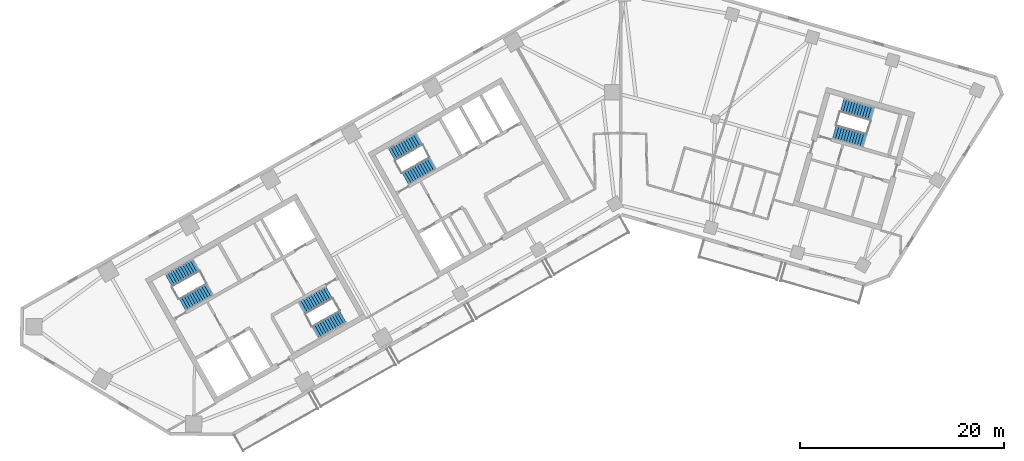
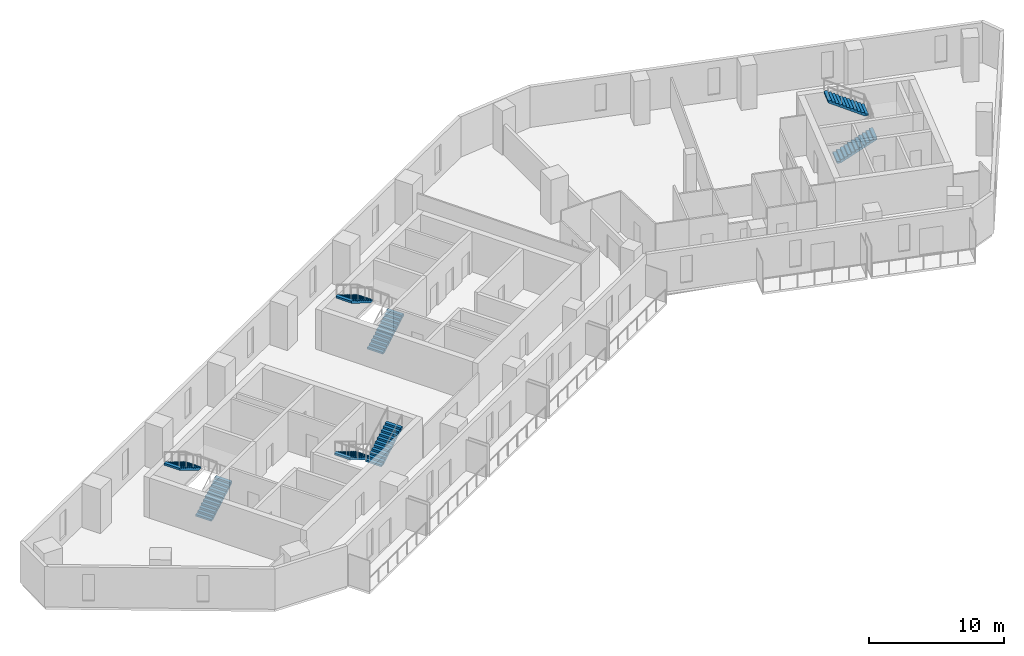
# One storey, part 7 of 9: 8 stair flights, 4 elements without a shape of their own.
"""IFC4 building model written with IfcOpenShell, lengths in metres."""

from ifc_helpers import new_model, si_unit, direction, frame, origin, place, context, subcontext, project, spatial, polyline, outline, extrude, material, type_object, element, aggregate, save


model = new_model("IFC4")

# Units and contexts
model_context = context("Model", 3, precision=1e-05, world=origin(), true_north=direction((0.0, 1.0)))
body_context = subcontext(model_context, "Body", "Model", "MODEL_VIEW")
ifc_project = project(units=[si_unit("LENGTHUNIT", "METRE"), si_unit("AREAUNIT", "SQUARE_METRE"), si_unit("VOLUMEUNIT", "CUBIC_METRE"), si_unit("PLANEANGLEUNIT", "RADIAN"), si_unit("MASSUNIT", "GRAM", prefix="KILO")], contexts=[model_context])

# Site, building, storey
site_placement = place(None, origin())
site = spatial("IfcSite", under=ifc_project, at=site_placement, CompositionType="ELEMENT")
building_placement = place(site_placement, origin())
building = spatial("IfcBuilding", under=site, at=building_placement, Name="Binnacle Exchange Tower", CompositionType="ELEMENT")
storey_placement = place(building_placement, frame((0.0, 0.0, 198.89990234375)))
storey = spatial("IfcBuildingStorey", under=building, at=storey_placement, Name="L43", CompositionType="ELEMENT", Elevation=198.89990234375)

# Stair, stair flights
ifc_material = material(Name="Concrete C35/45", Category="concrete")
stair_type = type_object("IfcStairType", Name="STAIR 24 RISERS 167", PredefinedType="HALF_TURN_STAIR", material=ifc_material)
stair_1_placement = place(storey_placement, origin())
stair_1 = element("IfcStair", 1, at=stair_1_placement, inside=storey, type_object=stair_type, Name="L43 Escape stair A1", PredefinedType="HALF_TURN_STAIR")
stair_flight_type = type_object("IfcStairFlightType", Name="STAIR FLIGHT 167X280", PredefinedType="STRAIGHT", material=ifc_material)
stair_flight_1_placement = place(storey_placement, frame((-42.9541015625, 39.17333984375, 0.0), z_axis=(0.0, 0.0, 1.0), x_axis=(0.870355584213, 0.492423757581, 0.0)))
stair_flight_1 = element("IfcStairFlight", 2, at=stair_flight_1_placement, type_object=stair_flight_type, Name="STA1 flight 1", NumberOfRisers=12, NumberOfTreads=11, PredefinedType="STRAIGHT", RiserHeight=0.166666667, TreadLength=0.28, context=body_context, shape_type="SweptSolid", body=[
    extrude(outline(polyline([(0.0, 0.0), (0.0, 0.166748046875), (0.280029296875, 0.166748046875), (0.280029296875, 0.333251953125), (0.56005859375, 0.333251953125), (0.56005859375, 0.5), (0.840087890625, 0.5), (0.840087890625, 0.666748046875), (1.1201171875, 0.666748046875), (1.1201171875, 0.833251953125), (1.39990234375, 0.833251953125), (1.39990234375, 1.0), (1.679931640625, 1.0), (1.679931640625, 1.166748046875), (1.9599609375, 1.166748046875), (1.9599609375, 1.333251953125), (2.239990234375, 1.333251953125), (2.239990234375, 1.5), (2.52001953125, 1.5), (2.52001953125, 1.666748046875), (2.800048828125, 1.666748046875), (2.800048828125, 1.833251953125), (3.080078125, 1.833251953125), (3.080078125, 2.0), (3.080078125, 1.658935546875), (0.29296875, 0.0), (0.0, 0.0)])), frame((0.0, 0.675048828125, 0.0), z_axis=(0.0, -1.0, 0.0), x_axis=(1.0, 0.0, 0.0)), (0.0, 0.0, 1.0), 1.35009765625),
])
stair_flight_2_placement = place(storey_placement, frame((-41.602783203125, 43.0400390625, 2.0), z_axis=(0.0, 0.0, 1.0), x_axis=(-0.870355584213, -0.492423757581, 0.0)))
stair_flight_2 = element("IfcStairFlight", 3, at=stair_flight_2_placement, type_object=stair_flight_type, Name="STA1 flight 2", NumberOfRisers=12, NumberOfTreads=11, PredefinedType="STRAIGHT", RiserHeight=0.166666667, TreadLength=0.28, context=body_context, shape_type="SweptSolid", body=[
    extrude(outline(polyline([(0.0, 0.0), (0.0, 0.166748046875), (0.280029296875, 0.166748046875), (0.280029296875, 0.333251953125), (0.56005859375, 0.333251953125), (0.56005859375, 0.5), (0.840087890625, 0.5), (0.840087890625, 0.666748046875), (1.1201171875, 0.666748046875), (1.1201171875, 0.833251953125), (1.39990234375, 0.833251953125), (1.39990234375, 1.0), (1.679931640625, 1.0), (1.679931640625, 1.166748046875), (1.9599609375, 1.166748046875), (1.9599609375, 1.333251953125), (2.239990234375, 1.333251953125), (2.239990234375, 1.5), (2.52001953125, 1.5), (2.52001953125, 1.666748046875), (2.800048828125, 1.666748046875), (2.800048828125, 1.833251953125), (3.080078125, 1.833251953125), (3.080078125, 2.0), (3.080078125, 1.658935546875), (0.29296875, 0.0), (0.0, 0.0)])), frame((0.0, 0.675048828125, 0.0), z_axis=(0.0, -1.0, 0.0), x_axis=(1.0, 0.0, 0.0)), (0.0, 0.0, 1.0), 1.35009765625),
])
aggregate(stair_1, [stair_flight_1, stair_flight_2])

stair_2_placement = place(storey_placement, origin())
stair_2 = element("IfcStair", 4, at=stair_2_placement, inside=storey, type_object=stair_type, Name="L43 Escape stair A2", PredefinedType="HALF_TURN_STAIR")
stair_flight_3_placement = place(storey_placement, frame((-28.5732421875, 40.3583984375, 0.0), z_axis=(0.0, 0.0, 1.0), x_axis=(-0.870355584213, -0.492423757581, 0.0)))
stair_flight_3 = element("IfcStairFlight", 5, at=stair_flight_3_placement, type_object=stair_flight_type, Name="STA2 flight 1", NumberOfRisers=12, NumberOfTreads=11, PredefinedType="STRAIGHT", RiserHeight=0.166666667, TreadLength=0.28, context=body_context, shape_type="SweptSolid", body=[
    extrude(outline(polyline([(0.0, 0.0), (0.0, 0.166748046875), (0.280029296875, 0.166748046875), (0.280029296875, 0.333251953125), (0.56005859375, 0.333251953125), (0.56005859375, 0.5), (0.840087890625, 0.5), (0.840087890625, 0.666748046875), (1.1201171875, 0.666748046875), (1.1201171875, 0.833251953125), (1.39990234375, 0.833251953125), (1.39990234375, 1.0), (1.679931640625, 1.0), (1.679931640625, 1.166748046875), (1.9599609375, 1.166748046875), (1.9599609375, 1.333251953125), (2.239990234375, 1.333251953125), (2.239990234375, 1.5), (2.52001953125, 1.5), (2.52001953125, 1.666748046875), (2.800048828125, 1.666748046875), (2.800048828125, 1.833251953125), (3.080078125, 1.833251953125), (3.080078125, 2.0), (3.080078125, 1.658935546875), (0.29296875, 0.0), (0.0, 0.0)])), frame((0.0, 0.675048828125, 0.0), z_axis=(0.0, -1.0, 0.0), x_axis=(1.0, 0.0, 0.0)), (0.0, 0.0, 1.0), 1.35009765625),
])
stair_flight_4_placement = place(storey_placement, frame((-29.92431640625, 36.49169921875, 2.0), z_axis=(0.0, 0.0, 1.0), x_axis=(0.870355584213, 0.492423757581, 0.0)))
stair_flight_4 = element("IfcStairFlight", 6, at=stair_flight_4_placement, type_object=stair_flight_type, Name="STA2 flight 2", NumberOfRisers=12, NumberOfTreads=11, PredefinedType="STRAIGHT", RiserHeight=0.166666667, TreadLength=0.28, context=body_context, shape_type="SweptSolid", body=[
    extrude(outline(polyline([(0.0, 0.0), (0.0, 0.166748046875), (0.280029296875, 0.166748046875), (0.280029296875, 0.333251953125), (0.56005859375, 0.333251953125), (0.56005859375, 0.5), (0.840087890625, 0.5), (0.840087890625, 0.666748046875), (1.1201171875, 0.666748046875), (1.1201171875, 0.833251953125), (1.39990234375, 0.833251953125), (1.39990234375, 1.0), (1.679931640625, 1.0), (1.679931640625, 1.166748046875), (1.9599609375, 1.166748046875), (1.9599609375, 1.333251953125), (2.239990234375, 1.333251953125), (2.239990234375, 1.5), (2.52001953125, 1.5), (2.52001953125, 1.666748046875), (2.800048828125, 1.666748046875), (2.800048828125, 1.833251953125), (3.080078125, 1.833251953125), (3.080078125, 2.0), (3.080078125, 1.658935546875), (0.29296875, 0.0), (0.0, 0.0)])), frame((0.0, 0.675048828125, 0.0), z_axis=(0.0, -1.0, 0.0), x_axis=(1.0, 0.0, 0.0)), (0.0, 0.0, 1.0), 1.35009765625),
])
aggregate(stair_2, [stair_flight_3, stair_flight_4])

stair_3_placement = place(storey_placement, origin())
stair_3 = element("IfcStair", 7, at=stair_3_placement, inside=storey, type_object=stair_type, Name="L43 Escape stair C1", PredefinedType="HALF_TURN_STAIR")
stair_flight_5_placement = place(storey_placement, frame((-21.115966796875, 51.528564453125, 0.0), z_axis=(0.0, 0.0, 1.0), x_axis=(0.870355584213, 0.492423757581, 0.0)))
stair_flight_5 = element("IfcStairFlight", 8, at=stair_flight_5_placement, type_object=stair_flight_type, Name="STC1 flight 1", NumberOfRisers=12, NumberOfTreads=11, PredefinedType="STRAIGHT", RiserHeight=0.166666667, TreadLength=0.28, context=body_context, shape_type="SweptSolid", body=[
    extrude(outline(polyline([(0.0, 0.0), (0.0, 0.166748046875), (0.280029296875, 0.166748046875), (0.280029296875, 0.333251953125), (0.56005859375, 0.333251953125), (0.56005859375, 0.5), (0.840087890625, 0.5), (0.840087890625, 0.666748046875), (1.1201171875, 0.666748046875), (1.1201171875, 0.833251953125), (1.39990234375, 0.833251953125), (1.39990234375, 1.0), (1.679931640625, 1.0), (1.679931640625, 1.166748046875), (1.9599609375, 1.166748046875), (1.9599609375, 1.333251953125), (2.239990234375, 1.333251953125), (2.239990234375, 1.5), (2.52001953125, 1.5), (2.52001953125, 1.666748046875), (2.800048828125, 1.666748046875), (2.800048828125, 1.833251953125), (3.080078125, 1.833251953125), (3.080078125, 2.0), (3.080078125, 1.658935546875), (0.29296875, 0.0), (0.0, 0.0)])), frame((0.0, 0.675048828125, 0.0), z_axis=(0.0, -1.0, 0.0), x_axis=(1.0, 0.0, 0.0)), (0.0, 0.0, 1.0), 1.35009765625),
])
stair_flight_6_placement = place(storey_placement, frame((-19.764892578125, 55.395263671875, 2.0), z_axis=(0.0, 0.0, 1.0), x_axis=(-0.870355584213, -0.492423757581, 0.0)))
stair_flight_6 = element("IfcStairFlight", 9, at=stair_flight_6_placement, type_object=stair_flight_type, Name="STC1 flight 2", NumberOfRisers=12, NumberOfTreads=11, PredefinedType="STRAIGHT", RiserHeight=0.166666667, TreadLength=0.28, context=body_context, shape_type="SweptSolid", body=[
    extrude(outline(polyline([(0.0, 0.0), (0.0, 0.166748046875), (0.280029296875, 0.166748046875), (0.280029296875, 0.333251953125), (0.56005859375, 0.333251953125), (0.56005859375, 0.5), (0.840087890625, 0.5), (0.840087890625, 0.666748046875), (1.1201171875, 0.666748046875), (1.1201171875, 0.833251953125), (1.39990234375, 0.833251953125), (1.39990234375, 1.0), (1.679931640625, 1.0), (1.679931640625, 1.166748046875), (1.9599609375, 1.166748046875), (1.9599609375, 1.333251953125), (2.239990234375, 1.333251953125), (2.239990234375, 1.5), (2.52001953125, 1.5), (2.52001953125, 1.666748046875), (2.800048828125, 1.666748046875), (2.800048828125, 1.833251953125), (3.080078125, 1.833251953125), (3.080078125, 2.0), (3.080078125, 1.658935546875), (0.29296875, 0.0), (0.0, 0.0)])), frame((0.0, 0.675048828125, 0.0), z_axis=(0.0, -1.0, 0.0), x_axis=(1.0, 0.0, 0.0)), (0.0, 0.0, 1.0), 1.35009765625),
])
aggregate(stair_3, [stair_flight_5, stair_flight_6])

stair_4_placement = place(storey_placement, origin())
stair_4 = element("IfcStair", 10, at=stair_4_placement, inside=storey, type_object=stair_type, Name="L43 Escape stair D1", PredefinedType="HALF_TURN_STAIR")
stair_flight_7_placement = place(storey_placement, frame((20.914306640625, 56.109619140625, 0.0), z_axis=(0.0, 0.0, 1.0), x_axis=(0.961261811397, -0.275636953165, 0.0)))
stair_flight_7 = element("IfcStairFlight", 11, at=stair_flight_7_placement, type_object=stair_flight_type, Name="STD1 flight 1", NumberOfRisers=12, NumberOfTreads=11, PredefinedType="STRAIGHT", RiserHeight=0.166666667, TreadLength=0.28, context=body_context, shape_type="SweptSolid", body=[
    extrude(outline(polyline([(0.0, 0.0), (0.0, 0.166748046875), (0.280029296875, 0.166748046875), (0.280029296875, 0.333251953125), (0.56005859375, 0.333251953125), (0.56005859375, 0.5), (0.840087890625, 0.5), (0.840087890625, 0.666748046875), (1.1201171875, 0.666748046875), (1.1201171875, 0.833251953125), (1.39990234375, 0.833251953125), (1.39990234375, 1.0), (1.679931640625, 1.0), (1.679931640625, 1.166748046875), (1.9599609375, 1.166748046875), (1.9599609375, 1.333251953125), (2.239990234375, 1.333251953125), (2.239990234375, 1.5), (2.52001953125, 1.5), (2.52001953125, 1.666748046875), (2.800048828125, 1.666748046875), (2.800048828125, 1.833251953125), (3.080078125, 1.833251953125), (3.080078125, 2.0), (3.080078125, 1.658935546875), (0.29296875, 0.0), (0.0, 0.0)])), frame((0.0, 0.675048828125, 0.0), z_axis=(0.0, -1.0, 0.0), x_axis=(1.0, 0.0, 0.0)), (0.0, 0.0, 1.0), 1.35009765625),
])
stair_flight_8_placement = place(storey_placement, frame((24.619384765625, 57.85595703125, 2.0), z_axis=(0.0, 0.0, 1.0), x_axis=(-0.961261811397, 0.275636953165, 0.0)))
stair_flight_8 = element("IfcStairFlight", 12, at=stair_flight_8_placement, type_object=stair_flight_type, Name="STD1 flight 2", NumberOfRisers=12, NumberOfTreads=11, PredefinedType="STRAIGHT", RiserHeight=0.166666667, TreadLength=0.28, context=body_context, shape_type="SweptSolid", body=[
    extrude(outline(polyline([(0.0, 0.0), (0.0, 0.166748046875), (0.280029296875, 0.166748046875), (0.280029296875, 0.333251953125), (0.56005859375, 0.333251953125), (0.56005859375, 0.5), (0.840087890625, 0.5), (0.840087890625, 0.666748046875), (1.1201171875, 0.666748046875), (1.1201171875, 0.833251953125), (1.39990234375, 0.833251953125), (1.39990234375, 1.0), (1.679931640625, 1.0), (1.679931640625, 1.166748046875), (1.9599609375, 1.166748046875), (1.9599609375, 1.333251953125), (2.239990234375, 1.333251953125), (2.239990234375, 1.5), (2.52001953125, 1.5), (2.52001953125, 1.666748046875), (2.800048828125, 1.666748046875), (2.800048828125, 1.833251953125), (3.080078125, 1.833251953125), (3.080078125, 2.0), (3.080078125, 1.658935546875), (0.29296875, 0.0), (0.0, 0.0)])), frame((0.0, 0.675048828125, 0.0), z_axis=(0.0, -1.0, 0.0), x_axis=(1.0, 0.0, 0.0)), (0.0, 0.0, 1.0), 1.35009765625),
])
aggregate(stair_4, [stair_flight_7, stair_flight_8])

save(model, "model.ifc")
